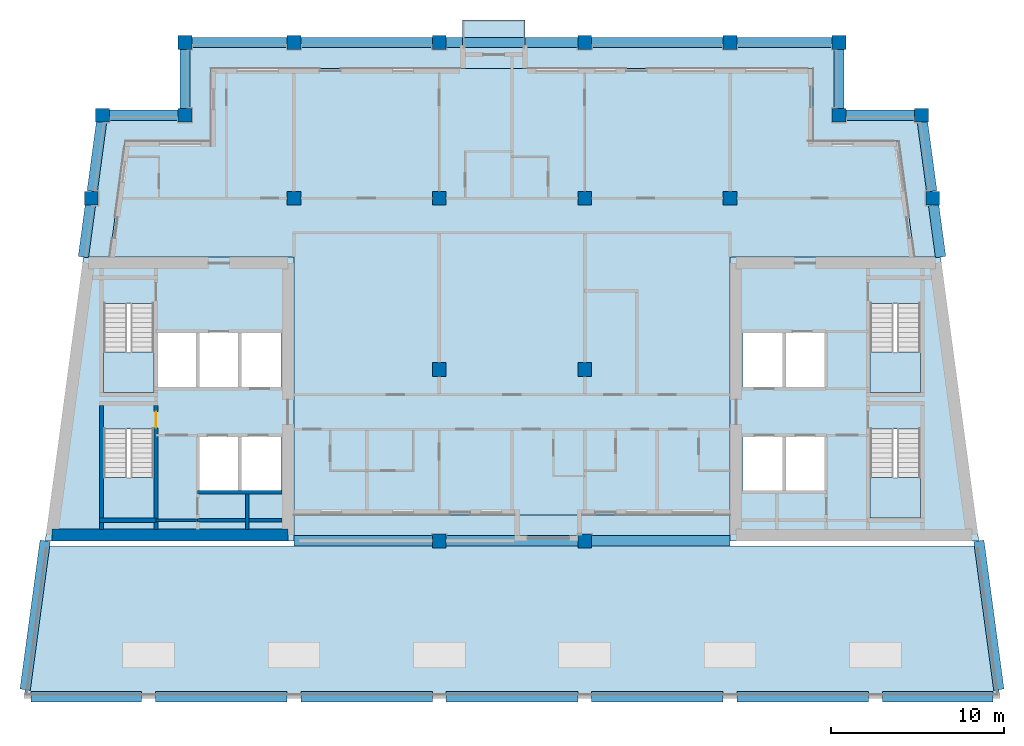
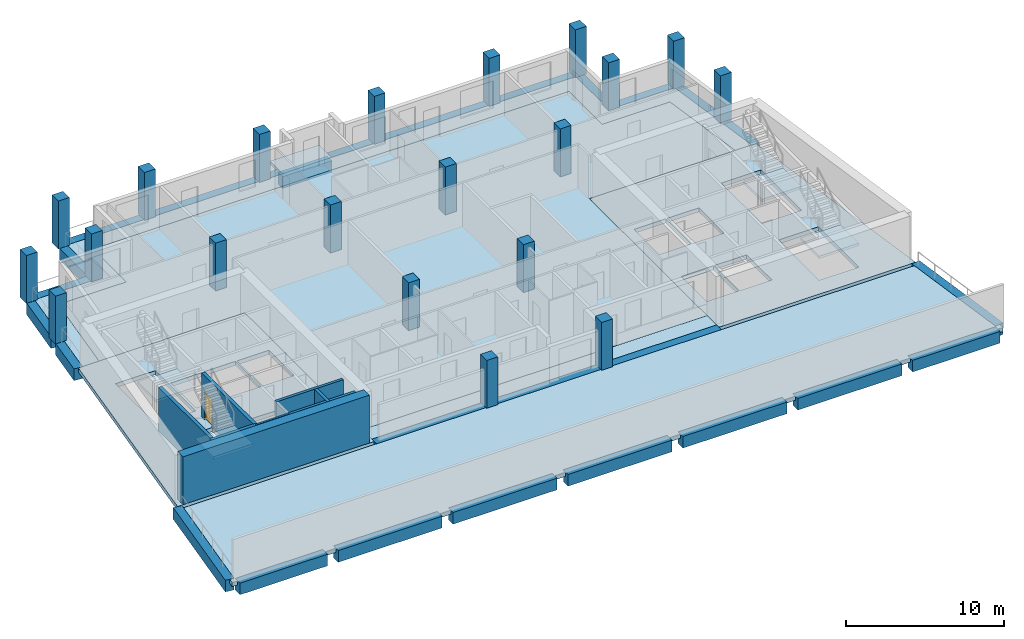
# One storey, part 1 of 12: 27 beams, 20 columns, 11 slabs, 8 walls, 1 door, 1 opening, 4 elements without a shape of their own.
"""IFC4 building model written with IfcOpenShell, lengths in metres."""

from ifc_helpers import new_model, si_unit, direction, frame, frame_2d, origin, origin_2d, place, context, subcontext, project, spatial, polyline, rectangle, outline, extrude, material, layer, layer_set, material_profile, profile_set, type_object, element, fill, aggregate, save


model = new_model("IFC4")

# Units and contexts
model_context = context("Model", 3, precision=1e-05, world=origin(), true_north=direction((0.0, 1.0)))
body_context = subcontext(model_context, "Body", "Model", "MODEL_VIEW")
ifc_project = project(units=[si_unit("LENGTHUNIT", "METRE"), si_unit("AREAUNIT", "SQUARE_METRE"), si_unit("VOLUMEUNIT", "CUBIC_METRE"), si_unit("PLANEANGLEUNIT", "RADIAN"), si_unit("MASSUNIT", "GRAM", prefix="KILO")], contexts=[model_context])

# Site, building, storey
site_placement = place(None, origin())
site = spatial("IfcSite", under=ifc_project, at=site_placement, CompositionType="ELEMENT")
building_placement = place(site_placement, origin())
building = spatial("IfcBuilding", under=site, at=building_placement, Name="Candeia Pilgrim Tower and Theatre", CompositionType="ELEMENT")
storey_placement = place(building_placement, frame((0.0, 0.0, 281.199951171875)))
storey = spatial("IfcBuildingStorey", under=building, at=storey_placement, Name="L68", CompositionType="ELEMENT", Elevation=281.199951171875)

# Columns
ifc_material_1 = material(Name="Concrete C40/50", Category="concrete")
ifc_material_profile_1 = material_profile(ifc_material_1, rectangle(XDim=0.800048828125, YDim=0.800048828125, at=origin_2d()))
ifc_profile_set_1 = profile_set([ifc_material_profile_1], Name="Concrete C40/50")
column_type = type_object("IfcColumnType", Name="RC 800x800 C40/50", PredefinedType="COLUMN", material=ifc_profile_set_1)
for number, where, z_axis, x_axis, name in (
    (1, (94.5, 140.60009765625, 0.0), (0.0, 0.0, 1.0), (1.0, 0.0, 0.0), "Column NNW"),
    (2, (132.300048828125, 140.60009765625, 0.0), (0.0, 0.0, 1.0), (1.0, 0.0, 0.0), "Column NNE"),
    (3, (89.734619140625, 140.60009765625, 0.0), (0.0, 0.0, 1.0), (1.0, 0.0, 0.0), "Column LNW"),
    (4, (137.0654296875, 140.60009765625, 0.0), (0.0, 0.0, 1.0), (1.0, 0.0, 0.0), "Column LNE"),
    (5, (109.199951171875, 116.0, 0.0), (0.0, 0.0, 1.0), (1.0, 0.0, 0.0), "Column C3"),
    (6, (117.60009765625, 116.0, 0.0), (0.0, 0.0, 1.0), (1.0, 0.0, 0.0), "Column C4"),
    (7, (109.199951171875, 125.89990234375, 0.0), (0.0, 0.0, 1.0), (1.0, 0.0, 0.0), "Column D3"),
    (8, (117.60009765625, 125.89990234375, 0.0), (0.0, 0.0, 1.0), (1.0, 0.0, 0.0), "Column D4"),
    (9, (100.800048828125, 135.800048828125, 0.0), (0.0, 0.0, 1.0), (1.0, 0.0, 0.0), "Column E2"),
    (10, (109.199951171875, 135.800048828125, 0.0), (0.0, 0.0, 1.0), (1.0, 0.0, 0.0), "Column E3"),
    (11, (117.60009765625, 135.800048828125, 0.0), (0.0, 0.0, 1.0), (1.0, 0.0, 0.0), "Column E4"),
    (12, (126.0, 135.800048828125, 0.0), (0.0, 0.0, 1.0), (1.0, 0.0, 0.0), "Column E5"),
    (13, (89.08837890625, 135.800048828125, 0.0), (0.0, 0.0, 1.0), (1.0, 0.0, 0.0), "Column EW"),
    (14, (137.71142578125, 135.800048828125, 0.0), (0.0, 0.0, 1.0), (1.0, 0.0, 0.0), "Column EE"),
    (15, (100.800048828125, 144.800048828125, 0.0), (0.0, 0.0, 1.0), (1.0, 0.0, 0.0), "Column F2"),
    (16, (109.199951171875, 144.800048828125, 0.0), (0.0, 0.0, 1.0), (1.0, 0.0, 0.0), "Column F3"),
    (17, (117.60009765625, 144.800048828125, 0.0), (0.0, 0.0, 1.0), (1.0, 0.0, 0.0), "Column F4"),
    (18, (126.0, 144.800048828125, 0.0), (0.0, 0.0, 1.0), (1.0, 0.0, 0.0), "Column F5"),
    (19, (94.5, 144.800048828125, 0.0), (0.0, 0.0, 1.0), (1.0, 0.0, 0.0), "Column FW"),
    (20, (132.300048828125, 144.800048828125, 0.0), (0.0, 0.0, 1.0), (1.0, 0.0, 0.0), "Column FE"),
):
    element("IfcColumn", number, at=place(storey_placement, frame(where, z_axis=z_axis, x_axis=x_axis)), inside=storey, type_object=column_type, Name=name, PredefinedType="COLUMN", context=body_context, shape_type="SweptSolid", body=[
        extrude(rectangle(XDim=0.800048828125, YDim=0.800048828125, at=origin_2d()), origin(), (0.0, 0.0, 1.0), 3.699951171875),
    ])

# Beams
ifc_material_profile_2 = material_profile(ifc_material_1, rectangle(XDim=0.60009765625, YDim=0.89990234375, at=origin_2d()))
ifc_profile_set_2 = profile_set([ifc_material_profile_2], Name="Concrete C40/50")
beam_type = type_object("IfcBeamType", Name="RC 600x900 C40/50", PredefinedType="BEAM", material=ifc_profile_set_2)
beam_1_placement = place(storey_placement, frame((90.134521484375, 140.60009765625, -0.449951171875), z_axis=(1.0, 0.0, 0.0), x_axis=(0.0, 1.0, 0.0)))
element("IfcBeam", 21, at=beam_1_placement, inside=storey, type_object=beam_type, Name="Spandrel beam L68-01", PredefinedType="BEAM", context=body_context, shape_type="SweptSolid", body=[
    extrude(rectangle(XDim=0.60009765625, YDim=0.89990234375, at=origin_2d()), origin(), (0.0, 0.0, 1.0), 3.965576171875),
])
beam_2_placement = place(storey_placement, frame((94.5, 141.0, -0.449951171875), z_axis=(0.0, 1.0, 0.0), x_axis=(-1.0, 0.0, 0.0)))
element("IfcBeam", 22, at=beam_2_placement, inside=storey, type_object=beam_type, Name="Spandrel beam L68-02", PredefinedType="BEAM", context=body_context, shape_type="SweptSolid", body=[
    extrude(rectangle(XDim=0.60009765625, YDim=0.89990234375, at=origin_2d()), origin(), (0.0, 0.0, 1.0), 3.39990234375),
])
beam_3_placement = place(storey_placement, frame((94.89990234375, 144.800048828125, -0.449951171875), z_axis=(1.0, 0.0, 0.0), x_axis=(0.0, 1.0, 0.0)))
element("IfcBeam", 23, at=beam_3_placement, inside=storey, type_object=beam_type, Name="Spandrel beam L68-03", PredefinedType="BEAM", context=body_context, shape_type="SweptSolid", body=[
    extrude(rectangle(XDim=0.60009765625, YDim=0.89990234375, at=origin_2d()), origin(), (0.0, 0.0, 1.0), 5.5),
])
beam_4_placement = place(storey_placement, frame((101.199951171875, 144.800048828125, -0.449951171875), z_axis=(1.0, 0.0, 0.0), x_axis=(0.0, 1.0, 0.0)))
element("IfcBeam", 24, at=beam_4_placement, inside=storey, type_object=beam_type, Name="Spandrel beam L68-04", PredefinedType="BEAM", context=body_context, shape_type="SweptSolid", body=[
    extrude(rectangle(XDim=0.60009765625, YDim=0.89990234375, at=origin_2d()), origin(), (0.0, 0.0, 1.0), 7.60009765625),
])
beam_5_placement = place(storey_placement, frame((109.60009765625, 144.800048828125, -0.449951171875), z_axis=(1.0, 0.0, 0.0), x_axis=(0.0, 1.0, 0.0)))
element("IfcBeam", 25, at=beam_5_placement, inside=storey, type_object=beam_type, Name="Spandrel beam L68-05", PredefinedType="BEAM", context=body_context, shape_type="SweptSolid", body=[
    extrude(rectangle(XDim=0.60009765625, YDim=0.89990234375, at=origin_2d()), origin(), (0.0, 0.0, 1.0), 0.949951171875),
])
beam_6_placement = place(storey_placement, frame((110.550048828125, 144.800048828125, -0.699951171875), z_axis=(1.0, 0.0, 0.0), x_axis=(0.0, 1.0, 0.0)))
element("IfcBeam", 26, at=beam_6_placement, inside=storey, type_object=beam_type, Name="Spandrel beam L68-06", PredefinedType="BEAM", context=body_context, shape_type="SweptSolid", body=[
    extrude(rectangle(XDim=0.60009765625, YDim=0.89990234375, at=origin_2d()), origin(), (0.0, 0.0, 1.0), 3.599853515625),
])
beam_7_placement = place(storey_placement, frame((114.14990234375, 144.800048828125, -0.449951171875), z_axis=(1.0, 0.0, 0.0), x_axis=(0.0, 1.0, 0.0)))
element("IfcBeam", 27, at=beam_7_placement, inside=storey, type_object=beam_type, Name="Spandrel beam L68-07", PredefinedType="BEAM", context=body_context, shape_type="SweptSolid", body=[
    extrude(rectangle(XDim=0.60009765625, YDim=0.89990234375, at=origin_2d()), origin(), (0.0, 0.0, 1.0), 3.050048828125),
])
beam_8_placement = place(storey_placement, frame((118.0, 144.800048828125, -0.449951171875), z_axis=(1.0, 0.0, 0.0), x_axis=(0.0, 1.0, 0.0)))
element("IfcBeam", 28, at=beam_8_placement, inside=storey, type_object=beam_type, Name="Spandrel beam L68-08", PredefinedType="BEAM", context=body_context, shape_type="SweptSolid", body=[
    extrude(rectangle(XDim=0.60009765625, YDim=0.89990234375, at=origin_2d()), origin(), (0.0, 0.0, 1.0), 7.60009765625),
])
beam_9_placement = place(storey_placement, frame((126.39990234375, 144.800048828125, -0.449951171875), z_axis=(1.0, 0.0, 0.0), x_axis=(0.0, 1.0, 0.0)))
element("IfcBeam", 29, at=beam_9_placement, inside=storey, type_object=beam_type, Name="Spandrel beam L68-09", PredefinedType="BEAM", context=body_context, shape_type="SweptSolid", body=[
    extrude(rectangle(XDim=0.60009765625, YDim=0.89990234375, at=origin_2d()), origin(), (0.0, 0.0, 1.0), 5.5),
])
beam_10_placement = place(storey_placement, frame((132.300048828125, 144.39990234375, -0.449951171875), z_axis=(0.0, -1.0, 0.0), x_axis=(1.0, 0.0, 0.0)))
element("IfcBeam", 30, at=beam_10_placement, inside=storey, type_object=beam_type, Name="Spandrel beam L68-10", PredefinedType="BEAM", context=body_context, shape_type="SweptSolid", body=[
    extrude(rectangle(XDim=0.60009765625, YDim=0.89990234375, at=origin_2d()), origin(), (0.0, 0.0, 1.0), 3.39990234375),
])
beam_11_placement = place(storey_placement, frame((132.699951171875, 140.60009765625, -0.449951171875), z_axis=(1.0, 0.0, 0.0), x_axis=(0.0, 1.0, 0.0)))
element("IfcBeam", 31, at=beam_11_placement, inside=storey, type_object=beam_type, Name="Spandrel beam L68-11", PredefinedType="BEAM", context=body_context, shape_type="SweptSolid", body=[
    extrude(rectangle(XDim=0.60009765625, YDim=0.89990234375, at=origin_2d()), origin(), (0.0, 0.0, 1.0), 3.96533203125),
])
beam_12_placement = place(storey_placement, frame((137.119140625, 140.199951171875, -0.449951171875), z_axis=(0.133439433328, -0.991056969923, 0.0), x_axis=(0.991056969923, 0.133439433328, 0.0)))
element("IfcBeam", 32, at=beam_12_placement, inside=storey, type_object=beam_type, Name="Spandrel beam L68-12", PredefinedType="BEAM", context=body_context, shape_type="SweptSolid", body=[
    extrude(rectangle(XDim=0.60009765625, YDim=0.89990234375, at=origin_2d()), origin(), (0.0, 0.0, 1.0), 4.0361328125),
])
beam_13_placement = place(storey_placement, frame((137.765380859375, 135.39990234375, -0.449951171875), z_axis=(0.133399824849, -0.991062302144, 0.0), x_axis=(0.991062302144, 0.133399824849, 0.0)))
element("IfcBeam", 33, at=beam_13_placement, inside=storey, type_object=beam_type, Name="Spandrel beam L68-13", PredefinedType="BEAM", context=body_context, shape_type="SweptSolid", body=[
    extrude(rectangle(XDim=0.60009765625, YDim=0.89990234375, at=origin_2d()), origin(), (0.0, 0.0, 1.0), 3.027099609375),
])
beam_14_placement = place(storey_placement, frame((126.0, 116.0, -0.449951171875), z_axis=(-1.0, 0.0, 0.0), x_axis=(0.0, -1.0, 0.0)))
element("IfcBeam", 34, at=beam_14_placement, inside=storey, type_object=beam_type, Name="Spandrel beam L68-14", PredefinedType="BEAM", context=body_context, shape_type="SweptSolid", body=[
    extrude(rectangle(XDim=0.60009765625, YDim=0.89990234375, at=origin_2d()), origin(), (0.0, 0.0, 1.0), 8.0),
])
beam_15_placement = place(storey_placement, frame((117.199951171875, 116.0, -0.449951171875), z_axis=(-1.0, 0.0, 0.0), x_axis=(0.0, -1.0, 0.0)))
element("IfcBeam", 35, at=beam_15_placement, inside=storey, type_object=beam_type, Name="Spandrel beam L68-15", PredefinedType="BEAM", context=body_context, shape_type="SweptSolid", body=[
    extrude(rectangle(XDim=0.60009765625, YDim=0.89990234375, at=origin_2d()), origin(), (0.0, 0.0, 1.0), 7.599853515625),
])
beam_16_placement = place(storey_placement, frame((108.800048828125, 116.0, -0.449951171875), z_axis=(-1.0, 0.0, 0.0), x_axis=(0.0, -1.0, 0.0)))
element("IfcBeam", 36, at=beam_16_placement, inside=storey, type_object=beam_type, Name="Spandrel beam L68-16", PredefinedType="BEAM", context=body_context, shape_type="SweptSolid", body=[
    extrude(rectangle(XDim=0.60009765625, YDim=0.89990234375, at=origin_2d()), origin(), (0.0, 0.0, 1.0), 8.0),
])
beam_17_placement = place(storey_placement, frame((88.630859375, 132.39990234375, -0.449951171875), z_axis=(0.133399824849, 0.991062302144, 0.0), x_axis=(-0.991062302144, 0.133399824849, 0.0)))
element("IfcBeam", 37, at=beam_17_placement, inside=storey, type_object=beam_type, Name="Spandrel beam L68-17", PredefinedType="BEAM", context=body_context, shape_type="SweptSolid", body=[
    extrude(rectangle(XDim=0.60009765625, YDim=0.89990234375, at=origin_2d()), origin(), (0.0, 0.0, 1.0), 3.027099609375),
])
beam_18_placement = place(storey_placement, frame((89.142333984375, 136.199951171875, -0.449951171875), z_axis=(0.13338002037, 0.991064967682, 0.0), x_axis=(-0.991064967682, 0.13338002037, 0.0)))
element("IfcBeam", 38, at=beam_18_placement, inside=storey, type_object=beam_type, Name="Spandrel beam L68-18", PredefinedType="BEAM", context=body_context, shape_type="SweptSolid", body=[
    extrude(rectangle(XDim=0.60009765625, YDim=0.89990234375, at=origin_2d()), origin(), (0.0, 0.0, 1.0), 4.0361328125),
])
for number, where, z_axis, x_axis, name in (
    (39, (85.265380859375, 107.39990234375, -0.449951171875), (0.133413074972, 0.991060518549, 0.0), (-0.991060518549, 0.133413074972, 0.0), "Spandrel beam L68-19"),
    (40, (140.376953125, 116.0, -0.449951171875), (0.133413074972, -0.991060518549, 0.0), (0.991060518549, 0.133413074972, 0.0), "Spandrel beam L68-20"),
):
    element("IfcBeam", number, at=place(storey_placement, frame(where, z_axis=z_axis, x_axis=x_axis)), inside=storey, type_object=beam_type, Name=name, PredefinedType="BEAM", context=body_context, shape_type="SweptSolid", body=[
        extrude(rectangle(XDim=0.60009765625, YDim=0.89990234375, at=origin_2d()), origin(), (0.0, 0.0, 1.0), 8.677734375),
    ])
beam_19_placement = place(storey_placement, frame((141.1884765625, 107.0, -0.449951171875), z_axis=(-1.0, 0.0, 0.0), x_axis=(0.0, -1.0, 0.0)))
element("IfcBeam", 41, at=beam_19_placement, inside=storey, type_object=beam_type, Name="Spandrel beam L68-21", PredefinedType="BEAM", context=body_context, shape_type="SweptSolid", body=[
    extrude(rectangle(XDim=0.60009765625, YDim=0.89990234375, at=origin_2d()), origin(), (0.0, 0.0, 1.0), 6.388427734375),
])
for number, where, z_axis, x_axis, name in (
    (42, (134.0, 107.0, -0.449951171875), (-1.0, 0.0, 0.0), (0.0, -1.0, 0.0), "Spandrel beam L68-22"),
    (43, (125.60009765625, 107.0, -0.449951171875), (-1.0, 0.0, 0.0), (0.0, -1.0, 0.0), "Spandrel beam L68-23"),
):
    element("IfcBeam", number, at=place(storey_placement, frame(where, z_axis=z_axis, x_axis=x_axis)), inside=storey, type_object=beam_type, Name=name, PredefinedType="BEAM", context=body_context, shape_type="SweptSolid", body=[
        extrude(rectangle(XDim=0.60009765625, YDim=0.89990234375, at=origin_2d()), origin(), (0.0, 0.0, 1.0), 7.60009765625),
    ])
beam_20_placement = place(storey_placement, frame((117.199951171875, 107.0, -0.449951171875), z_axis=(-1.0, 0.0, 0.0), x_axis=(0.0, -1.0, 0.0)))
element("IfcBeam", 44, at=beam_20_placement, inside=storey, type_object=beam_type, Name="Spandrel beam L68-24", PredefinedType="BEAM", context=body_context, shape_type="SweptSolid", body=[
    extrude(rectangle(XDim=0.60009765625, YDim=0.89990234375, at=origin_2d()), origin(), (0.0, 0.0, 1.0), 7.599853515625),
])
beam_21_placement = place(storey_placement, frame((108.800048828125, 107.0, -0.449951171875), z_axis=(-1.0, 0.0, 0.0), x_axis=(0.0, -1.0, 0.0)))
element("IfcBeam", 45, at=beam_21_placement, inside=storey, type_object=beam_type, Name="Spandrel beam L68-25", PredefinedType="BEAM", context=body_context, shape_type="SweptSolid", body=[
    extrude(rectangle(XDim=0.60009765625, YDim=0.89990234375, at=origin_2d()), origin(), (0.0, 0.0, 1.0), 7.60009765625),
])
beam_22_placement = place(storey_placement, frame((100.39990234375, 107.0, -0.449951171875), z_axis=(-1.0, 0.0, 0.0), x_axis=(0.0, -1.0, 0.0)))
element("IfcBeam", 46, at=beam_22_placement, inside=storey, type_object=beam_type, Name="Spandrel beam L68-26", PredefinedType="BEAM", context=body_context, shape_type="SweptSolid", body=[
    extrude(rectangle(XDim=0.60009765625, YDim=0.89990234375, at=origin_2d()), origin(), (0.0, 0.0, 1.0), 7.599853515625),
])
beam_23_placement = place(storey_placement, frame((92.0, 107.0, -0.449951171875), z_axis=(-1.0, 0.0, 0.0), x_axis=(0.0, -1.0, 0.0)))
element("IfcBeam", 47, at=beam_23_placement, inside=storey, type_object=beam_type, Name="Spandrel beam L68-27", PredefinedType="BEAM", context=body_context, shape_type="SweptSolid", body=[
    extrude(rectangle(XDim=0.60009765625, YDim=0.89990234375, at=origin_2d()), origin(), (0.0, 0.0, 1.0), 6.388427734375),
])

# Slabs
ifc_layer_1 = layer(ifc_material_1, 0.25)
ifc_layer_set_1 = layer_set([ifc_layer_1], Name="BK1 balcony slab 250")
slab_type_1 = type_object("IfcSlabType", Name="BK1 balcony slab 250", PredefinedType="USERDEFINED", material=ifc_layer_set_1)
slab_1_placement = place(storey_placement, frame((0.0, 0.0, -0.25)))
element("IfcSlab", 48, at=slab_1_placement, inside=storey, type_object=slab_type_1, Name="Balcony L68", ObjectType="BALCONY", PredefinedType="USERDEFINED", context=body_context, shape_type="SweptSolid", body=[
    extrude(outline(polyline([(110.550048828125, 144.5), (114.14990234375, 144.5), (114.14990234375, 146.10009765625), (110.550048828125, 146.10009765625), (110.550048828125, 144.5)])), origin(), (0.0, 0.0, 1.0), 0.25),
])
ifc_material_2 = material(Name="Concrete C60/75", Category="concrete")
ifc_layer_2 = layer(ifc_material_2, 0.320068359375)
ifc_layer_set_2 = layer_set([ifc_layer_2], Name="FS-CORE 320 core floor")
slab_type_2 = type_object("IfcSlabType", Name="FS-CORE 320 core floor", PredefinedType="FLOOR", material=ifc_layer_set_2)
slab_2_placement = place(storey_placement, frame((0.0, 0.0, -0.320068359375)))
element("IfcSlab", 49, at=slab_2_placement, inside=storey, type_object=slab_type_2, Name="Core floor W L68", PredefinedType="FLOOR", context=body_context, shape_type="SweptSolid", body=[
    extrude(outline(polyline([(100.800048828125, 132.39990234375), (100.800048828125, 116.0), (86.423095703125, 116.0), (88.630859375, 132.39990234375), (100.800048828125, 132.39990234375)]), holes=[polyline([(97.71337890625, 122.050048828125), (97.71337890625, 118.85009765625), (100.050048828125, 118.85009765625), (100.050048828125, 122.050048828125), (97.71337890625, 122.050048828125)]), polyline([(97.7255859375, 128.050048828125), (97.7255859375, 124.85009765625), (100.050048828125, 124.85009765625), (100.050048828125, 128.050048828125), (97.7255859375, 128.050048828125)]), polyline([(95.30126953125, 128.050048828125), (95.30126953125, 124.85009765625), (97.625732421875, 124.85009765625), (97.625732421875, 128.050048828125), (95.30126953125, 128.050048828125)]), polyline([(95.277099609375, 122.050048828125), (95.277099609375, 118.85009765625), (97.613525390625, 118.85009765625), (97.613525390625, 122.050048828125), (95.277099609375, 122.050048828125)]), polyline([(92.876953125, 128.050048828125), (92.876953125, 124.85009765625), (95.201416015625, 124.85009765625), (95.201416015625, 128.050048828125), (92.876953125, 128.050048828125)]), polyline([(89.802001953125, 117.324951171875), (92.701904296875, 117.324951171875), (92.701904296875, 122.455078125), (89.802001953125, 122.455078125), (89.802001953125, 117.324951171875)]), polyline([(89.802001953125, 129.705078125), (89.802001953125, 124.574951171875), (92.701904296875, 124.574951171875), (92.701904296875, 129.705078125), (89.802001953125, 129.705078125)])]), origin(), (0.0, 0.0, 1.0), 0.320068359375),
])
slab_3_placement = place(storey_placement, frame((0.0, 0.0, -0.320068359375)))
element("IfcSlab", 50, at=slab_3_placement, inside=storey, type_object=slab_type_2, Name="Core floor E L68", PredefinedType="FLOOR", context=body_context, shape_type="SweptSolid", body=[
    extrude(outline(polyline([(138.169189453125, 132.39990234375), (140.376953125, 116.0), (126.0, 116.0), (126.0, 132.39990234375), (138.169189453125, 132.39990234375)]), holes=[polyline([(134.097900390625, 117.324951171875), (136.998046875, 117.324951171875), (136.998046875, 122.455078125), (134.097900390625, 122.455078125), (134.097900390625, 117.324951171875)]), polyline([(134.097900390625, 129.705078125), (134.097900390625, 124.574951171875), (136.998046875, 124.574951171875), (136.998046875, 129.705078125), (134.097900390625, 129.705078125)]), polyline([(131.52294921875, 122.050048828125), (129.1865234375, 122.050048828125), (129.1865234375, 118.85009765625), (131.52294921875, 118.85009765625), (131.52294921875, 122.050048828125)]), polyline([(131.498779296875, 128.050048828125), (129.17431640625, 128.050048828125), (129.17431640625, 124.85009765625), (131.498779296875, 124.85009765625), (131.498779296875, 128.050048828125)]), polyline([(129.08642578125, 122.050048828125), (126.75, 122.050048828125), (126.75, 118.85009765625), (129.08642578125, 118.85009765625), (129.08642578125, 122.050048828125)]), polyline([(126.75, 128.050048828125), (126.75, 124.85009765625), (129.07421875, 124.85009765625), (129.07421875, 128.050048828125), (126.75, 128.050048828125)])]), origin(), (0.0, 0.0, 1.0), 0.320068359375),
])
ifc_material_3 = material(Name="Concrete C50/60", Category="concrete")
ifc_layer_3 = layer(ifc_material_3, 0.320068359375)
ifc_layer_set_3 = layer_set([ifc_layer_3], Name="Floor slab 320 C50/60")
slab_type_3 = type_object("IfcSlabType", Name="Floor slab 320 C50/60", PredefinedType="FLOOR", material=ifc_layer_set_3)
slab_4_placement = place(storey_placement, frame((0.0, 0.0, -0.320068359375)))
element("IfcSlab", 51, at=slab_4_placement, inside=storey, type_object=slab_type_3, Name="Floor slab L68", PredefinedType="FLOOR", context=body_context, shape_type="SweptSolid", body=[
    extrude(outline(polyline([(96.0, 139.10009765625), (96.0, 143.300048828125), (130.800048828125, 143.300048828125), (130.800048828125, 139.10009765625), (135.753662109375, 139.10009765625), (136.65576171875, 132.39990234375), (126.0, 132.39990234375), (126.0, 117.5), (100.800048828125, 117.5), (100.800048828125, 132.39990234375), (90.144287109375, 132.39990234375), (91.046142578125, 139.10009765625), (96.0, 139.10009765625)])), origin(), (0.0, 0.0, 1.0), 0.320068359375),
])
ifc_layer_4 = layer(ifc_material_1, 0.25)
ifc_layer_set_4 = layer_set([ifc_layer_4], Name="Loggia slab 250 C40/50")
slab_type_4 = type_object("IfcSlabType", Name="Loggia slab 250 C40/50", PredefinedType="FLOOR", material=ifc_layer_set_4)
slab_5_placement = place(storey_placement, frame((0.0, 0.0, -0.25)))
element("IfcSlab", 52, at=slab_5_placement, inside=storey, type_object=slab_type_4, Name="Loggia slab L68 1", PredefinedType="FLOOR", context=body_context, shape_type="SweptSolid", body=[
    extrude(outline(polyline([(100.800048828125, 117.5), (126.0, 117.5), (126.0, 116.300048828125), (100.800048828125, 116.300048828125), (100.800048828125, 117.5)])), origin(), (0.0, 0.0, 1.0), 0.25),
])
slab_6_placement = place(storey_placement, frame((0.0, 0.0, -0.25)))
element("IfcSlab", 53, at=slab_6_placement, inside=storey, type_object=slab_type_4, Name="Loggia slab L68 2", PredefinedType="FLOOR", context=body_context, shape_type="SweptSolid", body=[
    extrude(outline(polyline([(136.65576171875, 132.39990234375), (135.753662109375, 139.10009765625), (130.800048828125, 139.10009765625), (130.800048828125, 143.300048828125), (96.0, 143.300048828125), (96.0, 139.10009765625), (91.046142578125, 139.10009765625), (90.144287109375, 132.39990234375), (88.93359375, 132.39990234375), (89.996826171875, 140.300048828125), (94.800048828125, 140.300048828125), (94.800048828125, 144.5), (132.0, 144.5), (132.0, 140.300048828125), (136.802978515625, 140.300048828125), (137.866455078125, 132.39990234375), (136.65576171875, 132.39990234375)])), origin(), (0.0, 0.0, 1.0), 0.25),
])

# Stair, slab
stair_type = type_object("IfcStairType", Name="ST-TWR dog-leg escape stair", PredefinedType="HALF_TURN_STAIR", material=ifc_material_1)
stair_1_placement = place(storey_placement, origin())
stair_1 = element("IfcStair", 54, at=stair_1_placement, inside=storey, type_object=stair_type, Name="L68 Escape stair ST1", PredefinedType="HALF_TURN_STAIR")
ifc_layer_5 = layer(ifc_material_1, 0.199951171875)
ifc_layer_set_5 = layer_set([ifc_layer_5], Name="SL-LANDING stair landing")
slab_type_5 = type_object("IfcSlabType", Name="SL-LANDING stair landing", PredefinedType="LANDING", material=ifc_layer_set_5)
slab_7_placement = place(storey_placement, frame((0.0, 0.0, 1.650146484375)))
slab_7 = element("IfcSlab", 55, at=slab_7_placement, type_object=slab_type_5, Name="ST1 landing 1", PredefinedType="LANDING", context=body_context, shape_type="SweptSolid", body=[
    extrude(outline(polyline([(89.802001953125, 119.675048828125), (89.802001953125, 117.324951171875), (92.701904296875, 117.324951171875), (92.701904296875, 119.675048828125), (89.802001953125, 119.675048828125)])), origin(), (0.0, 0.0, 1.0), 0.199951171875),
])
aggregate(stair_1, [slab_7])

stair_2_placement = place(storey_placement, origin())
stair_2 = element("IfcStair", 56, at=stair_2_placement, inside=storey, type_object=stair_type, Name="L68 Escape stair ST2", PredefinedType="HALF_TURN_STAIR")
slab_8_placement = place(storey_placement, frame((0.0, 0.0, 1.650146484375)))
slab_8 = element("IfcSlab", 57, at=slab_8_placement, type_object=slab_type_5, Name="ST2 landing 1", PredefinedType="LANDING", context=body_context, shape_type="SweptSolid", body=[
    extrude(outline(polyline([(89.802001953125, 126.925048828125), (89.802001953125, 124.574951171875), (92.701904296875, 124.574951171875), (92.701904296875, 126.925048828125), (89.802001953125, 126.925048828125)])), origin(), (0.0, 0.0, 1.0), 0.199951171875),
])
aggregate(stair_2, [slab_8])

stair_3_placement = place(storey_placement, origin())
stair_3 = element("IfcStair", 58, at=stair_3_placement, inside=storey, type_object=stair_type, Name="L68 Escape stair ST3", PredefinedType="HALF_TURN_STAIR")
slab_9_placement = place(storey_placement, frame((0.0, 0.0, 1.650146484375)))
slab_9 = element("IfcSlab", 59, at=slab_9_placement, type_object=slab_type_5, Name="ST3 landing 1", PredefinedType="LANDING", context=body_context, shape_type="SweptSolid", body=[
    extrude(outline(polyline([(134.097900390625, 119.675048828125), (134.097900390625, 117.324951171875), (136.998046875, 117.324951171875), (136.998046875, 119.675048828125), (134.097900390625, 119.675048828125)])), origin(), (0.0, 0.0, 1.0), 0.199951171875),
])
aggregate(stair_3, [slab_9])

stair_4_placement = place(storey_placement, origin())
stair_4 = element("IfcStair", 60, at=stair_4_placement, inside=storey, type_object=stair_type, Name="L68 Escape stair ST4", PredefinedType="HALF_TURN_STAIR")
slab_10_placement = place(storey_placement, frame((0.0, 0.0, 1.650146484375)))
slab_10 = element("IfcSlab", 61, at=slab_10_placement, type_object=slab_type_5, Name="ST4 landing 1", PredefinedType="LANDING", context=body_context, shape_type="SweptSolid", body=[
    extrude(outline(polyline([(134.097900390625, 126.925048828125), (134.097900390625, 124.574951171875), (136.998046875, 124.574951171875), (136.998046875, 126.925048828125), (134.097900390625, 126.925048828125)])), origin(), (0.0, 0.0, 1.0), 0.199951171875),
])
aggregate(stair_4, [slab_10])

# Slab
ifc_layer_6 = layer(ifc_material_1, 0.320068359375)
ifc_layer_set_6 = layer_set([ifc_layer_6], Name="Terrace slab 320 C40/50")
slab_type_6 = type_object("IfcSlabType", Name="Terrace slab 320 C40/50", PredefinedType="FLOOR", material=ifc_layer_set_6)
slab_11_placement = place(storey_placement, frame((0.0, 0.0, -0.320068359375)))
element("IfcSlab", 62, at=slab_11_placement, inside=storey, type_object=slab_type_6, Name="Terrace slab T-L68-1", PredefinedType="FLOOR", context=body_context, shape_type="SweptSolid", body=[
    extrude(outline(polyline([(86.3828125, 115.699951171875), (140.417236328125, 115.699951171875), (141.58837890625, 107.0), (85.21142578125, 107.0), (86.3828125, 115.699951171875)])), origin(), (0.0, 0.0, 1.0), 0.320068359375),
])

# Walls
ifc_layer_7 = layer(ifc_material_1, 0.699951171875)
ifc_layer_set_7 = layer_set([ifc_layer_7], Name="Core wall 700 C40/50")
wall_type_1 = type_object("IfcWallType", Name="Core wall 700 C40/50", PredefinedType="SHEAR", material=ifc_layer_set_7)
wall_1_placement = place(storey_placement, frame((100.449951171875, 116.35009765625, 0.0), z_axis=(0.0, 0.0, 1.0), x_axis=(-1.0, 0.0, 0.0)))
element("IfcWall", 63, at=wall_1_placement, inside=storey, type_object=wall_type_1, Name="Core wall W3", PredefinedType="SHEAR", context=body_context, shape_type="SweptSolid", body=[
    extrude(rectangle(XDim=13.626708984375, YDim=0.699951171875, at=frame_2d((6.8134765625, 0.0))), origin(), (0.0, 0.0, 1.0), 3.699951171875),
])
ifc_material_4 = material(Name="Gypsum board partition on steel studs", Category="steel")
ifc_layer_8 = layer(ifc_material_4, 0.14990234375)
ifc_layer_set_8 = layer_set([ifc_layer_8], Name="PW-150 lobby wall")
wall_type_2 = type_object("IfcWallType", Name="PW-150 lobby wall", PredefinedType="PARTITIONING", material=ifc_layer_set_8)
wall_2_placement = place(storey_placement, frame((92.826904296875, 117.199951171875, 0.0), z_axis=(0.0, 0.0, 1.0), x_axis=(1.0, 0.0, 0.0)))
element("IfcWall", 64, at=wall_2_placement, inside=storey, type_object=wall_type_2, Name="Lobby wall L68-005", PredefinedType="PARTITIONING", context=body_context, shape_type="SweptSolid", body=[
    extrude(rectangle(XDim=2.400146484375, YDim=0.14990234375, at=frame_2d((1.2001953125, 0.0))), origin(), (0.0, 0.0, 1.0), 3.380126953125),
])
ifc_layer_9 = layer(ifc_material_1, 0.199951171875)
ifc_layer_set_9 = layer_set([ifc_layer_9], Name="SW-200 shaft wall")
wall_type_3 = type_object("IfcWallType", Name="SW-200 shaft wall", PredefinedType="PARTITIONING", material=ifc_layer_set_9)
for number, where, z_axis, x_axis, name in (
    (65, (95.22705078125, 117.199951171875, 0.0), (0.0, 0.0, 1.0), (1.0, 0.0, 0.0), "Shaft wall L68-003"),
    (66, (95.22705078125, 118.800048828125, 0.0), (0.0, 0.0, 1.0), (1.0, 0.0, 0.0), "Shaft wall L68-009"),
):
    element("IfcWall", number, at=place(storey_placement, frame(where, z_axis=z_axis, x_axis=x_axis)), inside=storey, type_object=wall_type_3, Name=name, PredefinedType="PARTITIONING", context=body_context, shape_type="SweptSolid", body=[
        extrude(rectangle(XDim=4.873046875, YDim=0.199951171875, at=frame_2d((2.4365234375, 0.0))), origin(), (0.0, 0.0, 1.0), 3.380126953125),
    ])
wall_3_placement = place(storey_placement, frame((98.10009765625, 116.669921875, 0.0), z_axis=(0.0, 0.0, 1.0), x_axis=(0.0, 1.0, 0.0)))
element("IfcWall", 67, at=wall_3_placement, inside=storey, type_object=wall_type_3, Name="Shaft wall L68-050", PredefinedType="PARTITIONING", context=body_context, shape_type="SweptSolid", body=[
    extrude(rectangle(XDim=2.030029296875, YDim=0.199951171875, at=frame_2d((1.01513671875, 0.0))), origin(), (0.0, 0.0, 1.0), 3.380126953125),
])
ifc_layer_10 = layer(ifc_material_1, 0.25)
ifc_layer_set_10 = layer_set([ifc_layer_10], Name="SW-250 stair wall")
wall_type_4 = type_object("IfcWallType", Name="SW-250 stair wall", PredefinedType="PARTITIONING", material=ifc_layer_set_10)
wall_4_placement = place(storey_placement, frame((89.552001953125, 117.199951171875, 0.0), z_axis=(0.0, 0.0, 1.0), x_axis=(1.0, 0.0, 0.0)))
element("IfcWall", 68, at=wall_4_placement, inside=storey, type_object=wall_type_4, Name="Stair wall L68-007", PredefinedType="PARTITIONING", context=body_context, shape_type="SweptSolid", body=[
    extrude(rectangle(XDim=3.27490234375, YDim=0.25, at=frame_2d((1.637451171875, 0.0))), origin(), (0.0, 0.0, 1.0), 3.380126953125),
])
wall_5_placement = place(storey_placement, frame((89.677001953125, 116.669921875, 0.0), z_axis=(0.0, 0.0, 1.0), x_axis=(0.0, 1.0, 0.0)))
element("IfcWall", 69, at=wall_5_placement, inside=storey, type_object=wall_type_4, Name="Stair wall L68-039", PredefinedType="PARTITIONING", context=body_context, shape_type="SweptSolid", body=[
    extrude(rectangle(XDim=7.155029296875, YDim=0.25, at=frame_2d((3.57763671875, 0.0))), origin(), (0.0, 0.0, 1.0), 3.380126953125),
])

# Wall, opening, door
wall_6_placement = place(storey_placement, frame((92.826904296875, 116.669921875, 0.0), z_axis=(0.0, 0.0, 1.0), x_axis=(0.0, 1.0, 0.0)))
wall_6 = element("IfcWall", 70, at=wall_6_placement, inside=storey, type_object=wall_type_4, Name="Stair wall L68-042", PredefinedType="PARTITIONING", context=body_context, shape_type="SweptSolid", body=[
    extrude(rectangle(XDim=7.155029296875, YDim=0.25, at=frame_2d((3.57763671875, 0.0))), origin(), (0.0, 0.0, 1.0), 3.380126953125),
])
opening_placement = place(wall_6_placement, frame((5.85498046875, 0.0, 0.0)))
opening = element("IfcOpeningElement", 71, at=opening_placement, cuts=wall_6, Name="Opening L68-D002", PredefinedType="OPENING", context=body_context, shape_type="SweptSolid", body=[
    extrude(rectangle(XDim=0.949951171875, YDim=2.10009765625, at=frame_2d((0.47509765625, 1.050048828125))), frame((0.0, 0.135009765625, 0.0), z_axis=(0.0, -1.0, 0.0), x_axis=(1.0, 0.0, 0.0)), (0.0, 0.0, 1.0), 0.27001953125),
])
ifc_material_5 = material(Name="Steel fire door set", Category="steel")
door_type = type_object("IfcDoorType", Name="D-950-FD60", OperationType="NOTDEFINED", PredefinedType="DOOR", material=ifc_material_5)
door_placement = place(opening_placement, origin())
door = element("IfcDoor", 72, at=door_placement, inside=storey, type_object=door_type, Name="Door L68-D002", OperationType="SINGLE_SWING_RIGHT", OverallHeight=2.10009765625, OverallWidth=0.949951171875, PredefinedType="DOOR", context=body_context, shape_type="SweptSolid", body=[
    extrude(rectangle(XDim=0.949951171875, YDim=2.10009765625, at=frame_2d((0.47509765625, 1.050048828125))), frame((0.0, 0.02490234375, 0.0), z_axis=(0.0, -1.0, 0.0), x_axis=(1.0, 0.0, 0.0)), (0.0, 0.0, 1.0), 0.050048828125),
])
fill(opening, door)

save(model, "model.ifc")
